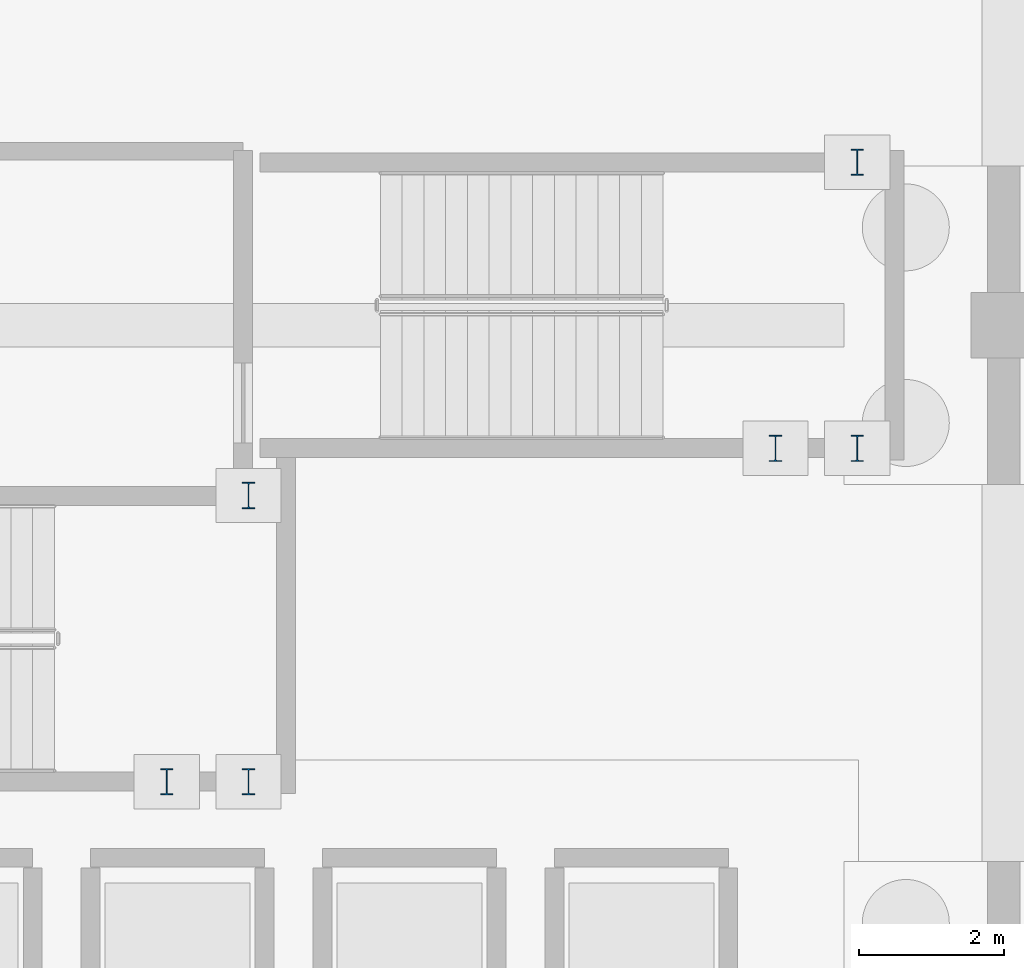
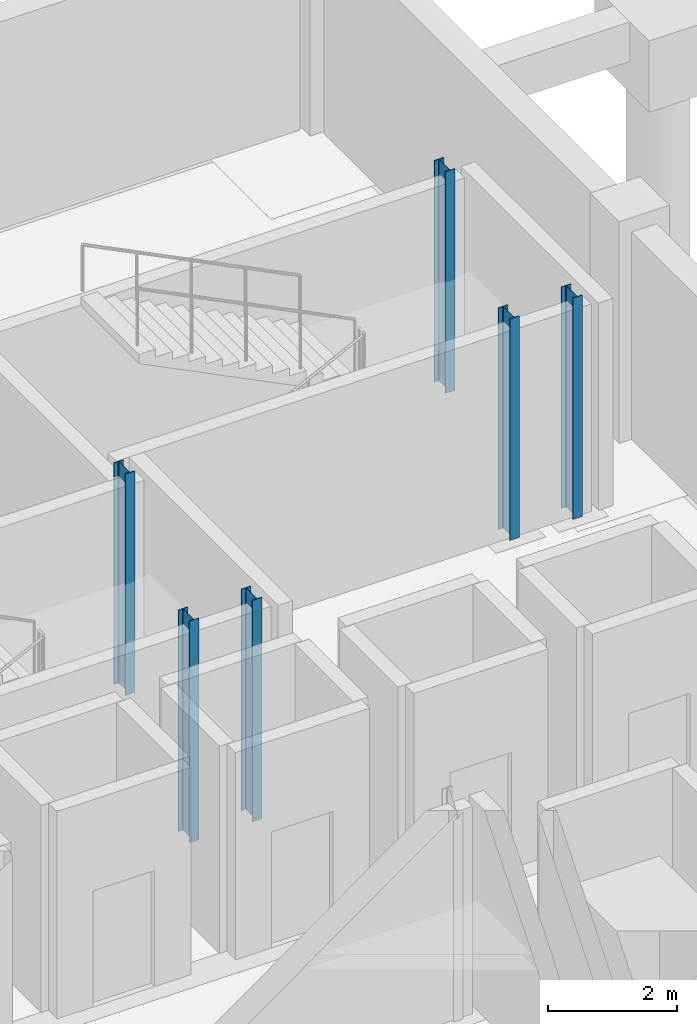
# One storey, part 31 of 54: 6 columns.
"""IFC4 building model written with IfcOpenShell, lengths in metres."""

from ifc_helpers import new_model, si_unit, direction, frame, origin, origin_2d, place, context, subcontext, project, spatial, i_section, extrude, material, material_profile, profile_set, type_object, element, save


model = new_model("IFC4")

# Units and contexts
model_context = context("Model", 3, precision=1e-05, world=origin(), true_north=direction((0.0, 1.0)))
body_context = subcontext(model_context, "Body", "Model", "MODEL_VIEW")
ifc_project = project(units=[si_unit("LENGTHUNIT", "METRE"), si_unit("AREAUNIT", "SQUARE_METRE"), si_unit("VOLUMEUNIT", "CUBIC_METRE"), si_unit("PLANEANGLEUNIT", "RADIAN"), si_unit("MASSUNIT", "GRAM", prefix="KILO")], contexts=[model_context])

# Site, building, storey
site_placement = place(None, origin())
site = spatial("IfcSite", under=ifc_project, at=site_placement, CompositionType="ELEMENT")
building_placement = place(site_placement, origin())
building = spatial("IfcBuilding", under=site, at=building_placement, Name="Zevrakil Square Congress Hotel", CompositionType="ELEMENT")
storey_placement = place(building_placement, frame((0.0, 0.0, -8.39990234375)))
storey = spatial("IfcBuildingStorey", under=building, at=storey_placement, Name="B2", CompositionType="ELEMENT", Elevation=-8.39990234375)

# Columns
ifc_material = material(Name="Steel S355", Category="steel")
ifc_material_profile = material_profile(ifc_material, i_section(OverallWidth=0.169921875, OverallDepth=0.360107421875, WebThickness=0.008056640625, FlangeThickness=0.0126953125, FilletRadius=0.01806640625, at=origin_2d()), Name="IPE 360")
ifc_profile_set = profile_set([ifc_material_profile], Name="Steel S355")
column_type = type_object("IfcColumnType", Name="COL-PILASTER-SHS180", PredefinedType="PILASTER", material=ifc_profile_set)
for number, where, z_axis, x_axis, name in (
    (1, (144.449951171875, 29.699951171875, 0.0), (0.0, 0.0, 1.0), (1.0, 0.0, 0.0), "B2 ST02 stair shaft post 1"),
    (2, (145.580078125, 29.699951171875, 0.0), (0.0, 0.0, 1.0), (1.0, 0.0, 0.0), "B2 ST02 stair shaft post 2"),
    (3, (145.580078125, 33.64990234375, 0.0), (0.0, 0.0, 1.0), (1.0, 0.0, 0.0), "B2 ST02 stair shaft post 3"),
    (4, (152.85009765625, 34.300048828125, 0.0), (0.0, 0.0, 1.0), (1.0, 0.0, 0.0), "B2 ST03 stair shaft post 1"),
    (5, (153.97998046875, 34.300048828125, 0.0), (0.0, 0.0, 1.0), (1.0, 0.0, 0.0), "B2 ST03 stair shaft post 2"),
    (6, (153.97998046875, 38.25, 0.0), (0.0, 0.0, 1.0), (1.0, 0.0, 0.0), "B2 ST03 stair shaft post 3"),
):
    element("IfcColumn", number, at=place(storey_placement, frame(where, z_axis=z_axis, x_axis=x_axis)), inside=storey, type_object=column_type, Name=name, PredefinedType="PILASTER", context=body_context, shape_type="SweptSolid", body=[
        extrude(i_section(OverallWidth=0.169921875, OverallDepth=0.360107421875, WebThickness=0.008056640625, FlangeThickness=0.0126953125, FilletRadius=0.01806640625, at=origin_2d()), origin(), (0.0, 0.0, 1.0), 4.199951171875),
    ])

save(model, "model.ifc")
